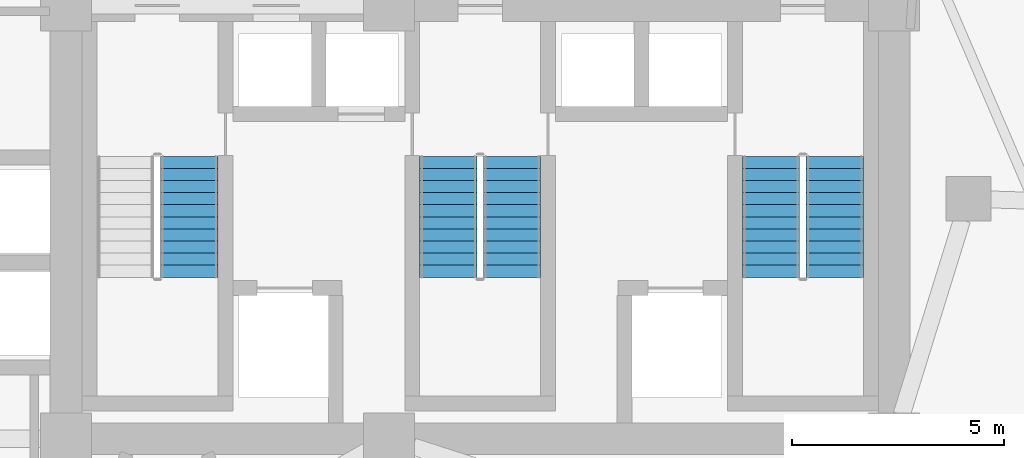
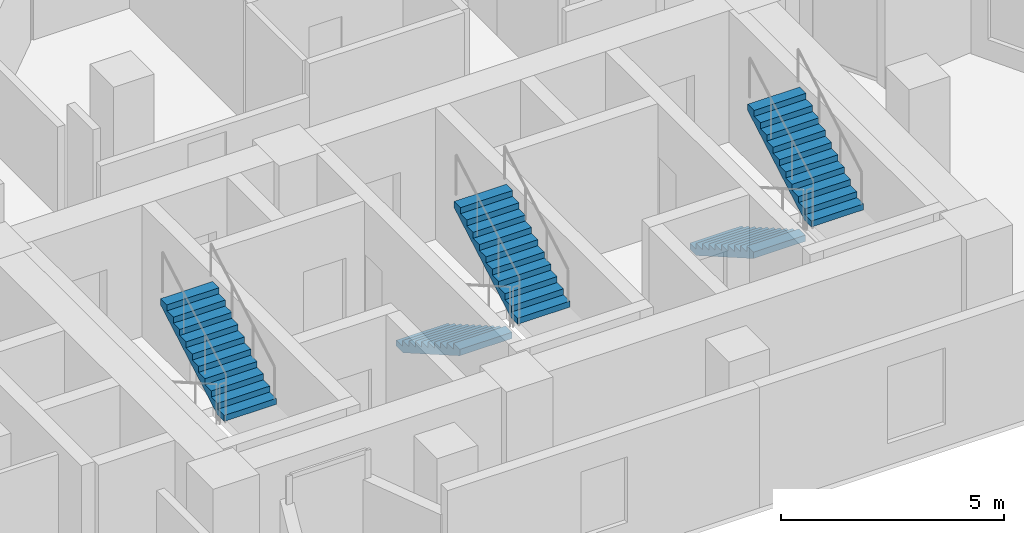
# One storey, part 9 of 11: 5 stair flights, 3 elements without a shape of their own.
"""IFC4 building model written with IfcOpenShell, lengths in metres."""

from ifc_helpers import new_model, si_unit, direction, frame, origin, place, context, subcontext, project, spatial, polyline, outline, extrude, material, type_object, element, aggregate, save


model = new_model("IFC4")

# Units and contexts
model_context = context("Model", 3, precision=1e-05, world=origin(), true_north=direction((0.0, 1.0)))
body_context = subcontext(model_context, "Body", "Model", "MODEL_VIEW")
ifc_project = project(units=[si_unit("LENGTHUNIT", "METRE"), si_unit("AREAUNIT", "SQUARE_METRE"), si_unit("VOLUMEUNIT", "CUBIC_METRE"), si_unit("PLANEANGLEUNIT", "RADIAN"), si_unit("MASSUNIT", "GRAM", prefix="KILO")], contexts=[model_context])

# Site, building, storey
site_placement = place(None, origin())
site = spatial("IfcSite", under=ifc_project, at=site_placement, CompositionType="ELEMENT")
building_placement = place(site_placement, origin())
building = spatial("IfcBuilding", under=site, at=building_placement, Name="Almagre Mirador Tower", CompositionType="ELEMENT")
storey_placement = place(building_placement, frame((0.0, 0.0, 193.199951171875)))
storey = spatial("IfcBuildingStorey", under=building, at=storey_placement, Name="L50", CompositionType="ELEMENT", Elevation=193.199951171875)

# Stair, stair flight
ifc_material_1 = material(Name="Concrete C45/55", Category="concrete")
stair_type = type_object("IfcStairType", Name="STR-DL-3600", PredefinedType="HALF_TURN_STAIR", material=ifc_material_1)
stair_1_placement = place(storey_placement, origin())
stair_1 = element("IfcStair", 1, at=stair_1_placement, inside=storey, type_object=stair_type, Name="L50 Protected exit stair ST-1", PredefinedType="HALF_TURN_STAIR")
ifc_material_2 = material(Name="Concrete C45/55", Category="concrete")
stair_flight_type = type_object("IfcStairFlightType", Name="FLT-DL-3600", PredefinedType="STRAIGHT", material=ifc_material_2)
stair_flight_1_placement = place(storey_placement, frame((30.449951171875, 8.35009765625, 1.800048828125), z_axis=(0.0, 0.0, 1.0), x_axis=(0.0, 1.0, 0.0)))
stair_flight_1 = element("IfcStairFlight", 2, at=stair_flight_1_placement, type_object=stair_flight_type, Name="ST-1 flight 2", NumberOfRisers=11, NumberOfTreads=10, PredefinedType="STRAIGHT", RiserHeight=0.163636364, TreadLength=0.285, context=body_context, shape_type="SweptSolid", body=[
    extrude(outline(polyline([(0.0, 0.0), (0.0, 0.16357421875), (0.284912109375, 0.16357421875), (0.284912109375, 0.327392578125), (0.570068359375, 0.327392578125), (0.570068359375, 0.490966796875), (0.85498046875, 0.490966796875), (0.85498046875, 0.654541015625), (1.139892578125, 0.654541015625), (1.139892578125, 0.818115234375), (1.425048828125, 0.818115234375), (1.425048828125, 0.98193359375), (1.7099609375, 0.98193359375), (1.7099609375, 1.1455078125), (1.9951171875, 1.1455078125), (1.9951171875, 1.30908203125), (2.280029296875, 1.30908203125), (2.280029296875, 1.47265625), (2.56494140625, 1.47265625), (2.56494140625, 1.636474609375), (2.85009765625, 1.636474609375), (2.85009765625, 1.800048828125), (2.85009765625, 1.463623046875), (0.301025390625, 0.0), (0.0, 0.0)])), frame((0.0, 0.675048828125, 0.0), z_axis=(0.0, -1.0, 0.0), x_axis=(1.0, 0.0, 0.0)), (0.0, 0.0, 1.0), 1.35009765625),
])
aggregate(stair_1, [stair_flight_1])

# Stair, stair flights
stair_2_placement = place(storey_placement, origin())
stair_2 = element("IfcStair", 3, at=stair_2_placement, inside=storey, type_object=stair_type, Name="L50 Protected exit stair ST-2", PredefinedType="HALF_TURN_STAIR")
stair_flight_2_placement = place(storey_placement, frame((36.550048828125, 11.199951171875, 0.0), z_axis=(0.0, 0.0, 1.0), x_axis=(0.0, -1.0, 0.0)))
stair_flight_2 = element("IfcStairFlight", 4, at=stair_flight_2_placement, type_object=stair_flight_type, Name="ST-2 flight 1", NumberOfRisers=11, NumberOfTreads=10, PredefinedType="STRAIGHT", RiserHeight=0.163636364, TreadLength=0.285, context=body_context, shape_type="SweptSolid", body=[
    extrude(outline(polyline([(0.0, 0.0), (0.0, 0.16357421875), (0.284912109375, 0.16357421875), (0.284912109375, 0.327392578125), (0.570068359375, 0.327392578125), (0.570068359375, 0.490966796875), (0.85498046875, 0.490966796875), (0.85498046875, 0.654541015625), (1.139892578125, 0.654541015625), (1.139892578125, 0.818115234375), (1.425048828125, 0.818115234375), (1.425048828125, 0.98193359375), (1.7099609375, 0.98193359375), (1.7099609375, 1.1455078125), (1.9951171875, 1.1455078125), (1.9951171875, 1.30908203125), (2.280029296875, 1.30908203125), (2.280029296875, 1.47265625), (2.56494140625, 1.47265625), (2.56494140625, 1.636474609375), (2.85009765625, 1.636474609375), (2.85009765625, 1.800048828125), (2.85009765625, 1.463623046875), (0.301025390625, 0.0), (0.0, 0.0)])), frame((0.0, 0.675048828125, 0.0), z_axis=(0.0, -1.0, 0.0), x_axis=(1.0, 0.0, 0.0)), (0.0, 0.0, 1.0), 1.35009765625),
])
stair_flight_3_placement = place(storey_placement, frame((38.050048828125, 8.35009765625, 1.800048828125), z_axis=(0.0, 0.0, 1.0), x_axis=(0.0, 1.0, 0.0)))
stair_flight_3 = element("IfcStairFlight", 5, at=stair_flight_3_placement, type_object=stair_flight_type, Name="ST-2 flight 2", NumberOfRisers=11, NumberOfTreads=10, PredefinedType="STRAIGHT", RiserHeight=0.163636364, TreadLength=0.285, context=body_context, shape_type="SweptSolid", body=[
    extrude(outline(polyline([(0.0, 0.0), (0.0, 0.16357421875), (0.284912109375, 0.16357421875), (0.284912109375, 0.327392578125), (0.570068359375, 0.327392578125), (0.570068359375, 0.490966796875), (0.85498046875, 0.490966796875), (0.85498046875, 0.654541015625), (1.139892578125, 0.654541015625), (1.139892578125, 0.818115234375), (1.425048828125, 0.818115234375), (1.425048828125, 0.98193359375), (1.7099609375, 0.98193359375), (1.7099609375, 1.1455078125), (1.9951171875, 1.1455078125), (1.9951171875, 1.30908203125), (2.280029296875, 1.30908203125), (2.280029296875, 1.47265625), (2.56494140625, 1.47265625), (2.56494140625, 1.636474609375), (2.85009765625, 1.636474609375), (2.85009765625, 1.800048828125), (2.85009765625, 1.463623046875), (0.301025390625, 0.0), (0.0, 0.0)])), frame((0.0, 0.675048828125, 0.0), z_axis=(0.0, -1.0, 0.0), x_axis=(1.0, 0.0, 0.0)), (0.0, 0.0, 1.0), 1.35009765625),
])
aggregate(stair_2, [stair_flight_2, stair_flight_3])

stair_3_placement = place(storey_placement, origin())
stair_3 = element("IfcStair", 6, at=stair_3_placement, inside=storey, type_object=stair_type, Name="L50 Protected exit stair ST-3", PredefinedType="HALF_TURN_STAIR")
stair_flight_4_placement = place(storey_placement, frame((44.14990234375, 11.199951171875, 0.0), z_axis=(0.0, 0.0, 1.0), x_axis=(0.0, -1.0, 0.0)))
stair_flight_4 = element("IfcStairFlight", 7, at=stair_flight_4_placement, type_object=stair_flight_type, Name="ST-3 flight 1", NumberOfRisers=11, NumberOfTreads=10, PredefinedType="STRAIGHT", RiserHeight=0.163636364, TreadLength=0.285, context=body_context, shape_type="SweptSolid", body=[
    extrude(outline(polyline([(0.0, 0.0), (0.0, 0.16357421875), (0.284912109375, 0.16357421875), (0.284912109375, 0.327392578125), (0.570068359375, 0.327392578125), (0.570068359375, 0.490966796875), (0.85498046875, 0.490966796875), (0.85498046875, 0.654541015625), (1.139892578125, 0.654541015625), (1.139892578125, 0.818115234375), (1.425048828125, 0.818115234375), (1.425048828125, 0.98193359375), (1.7099609375, 0.98193359375), (1.7099609375, 1.1455078125), (1.9951171875, 1.1455078125), (1.9951171875, 1.30908203125), (2.280029296875, 1.30908203125), (2.280029296875, 1.47265625), (2.56494140625, 1.47265625), (2.56494140625, 1.636474609375), (2.85009765625, 1.636474609375), (2.85009765625, 1.800048828125), (2.85009765625, 1.463623046875), (0.301025390625, 0.0), (0.0, 0.0)])), frame((0.0, 0.675048828125, 0.0), z_axis=(0.0, -1.0, 0.0), x_axis=(1.0, 0.0, 0.0)), (0.0, 0.0, 1.0), 1.35009765625),
])
stair_flight_5_placement = place(storey_placement, frame((45.64990234375, 8.35009765625, 1.800048828125), z_axis=(0.0, 0.0, 1.0), x_axis=(0.0, 1.0, 0.0)))
stair_flight_5 = element("IfcStairFlight", 8, at=stair_flight_5_placement, type_object=stair_flight_type, Name="ST-3 flight 2", NumberOfRisers=11, NumberOfTreads=10, PredefinedType="STRAIGHT", RiserHeight=0.163636364, TreadLength=0.285, context=body_context, shape_type="SweptSolid", body=[
    extrude(outline(polyline([(0.0, 0.0), (0.0, 0.16357421875), (0.284912109375, 0.16357421875), (0.284912109375, 0.327392578125), (0.570068359375, 0.327392578125), (0.570068359375, 0.490966796875), (0.85498046875, 0.490966796875), (0.85498046875, 0.654541015625), (1.139892578125, 0.654541015625), (1.139892578125, 0.818115234375), (1.425048828125, 0.818115234375), (1.425048828125, 0.98193359375), (1.7099609375, 0.98193359375), (1.7099609375, 1.1455078125), (1.9951171875, 1.1455078125), (1.9951171875, 1.30908203125), (2.280029296875, 1.30908203125), (2.280029296875, 1.47265625), (2.56494140625, 1.47265625), (2.56494140625, 1.636474609375), (2.85009765625, 1.636474609375), (2.85009765625, 1.800048828125), (2.85009765625, 1.463623046875), (0.301025390625, 0.0), (0.0, 0.0)])), frame((0.0, 0.675048828125, 0.0), z_axis=(0.0, -1.0, 0.0), x_axis=(1.0, 0.0, 0.0)), (0.0, 0.0, 1.0), 1.35009765625),
])
aggregate(stair_3, [stair_flight_4, stair_flight_5])

save(model, "model.ifc")
